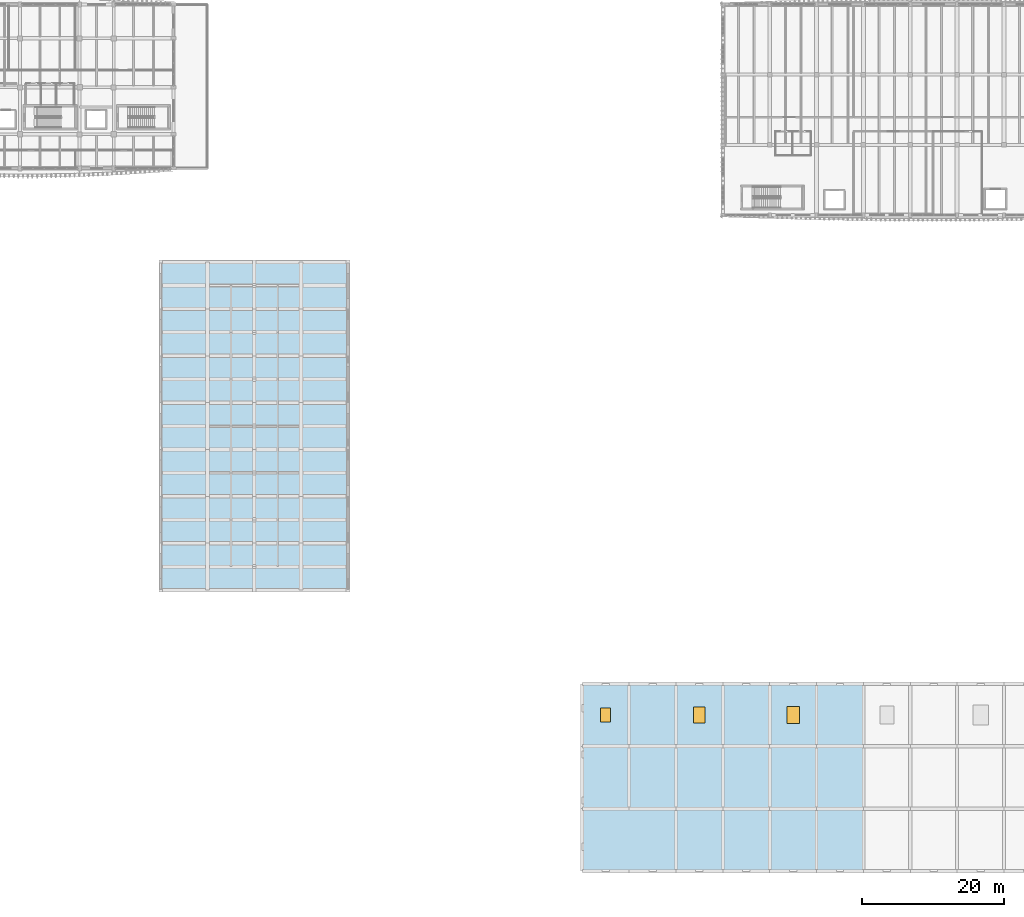
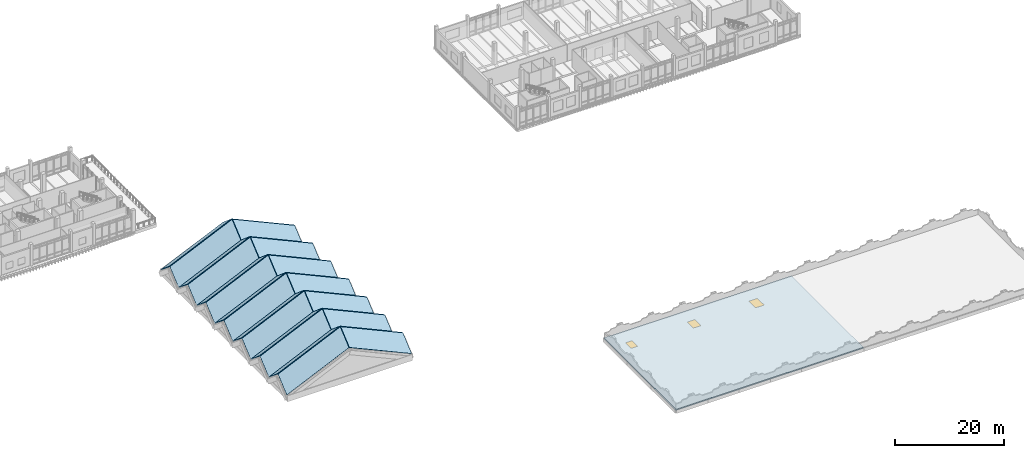
# One storey, part 18 of 50: 29 slabs, 3 windows, 3 openings.
"""IFC4 building model written with IfcOpenShell, lengths in metres."""

from ifc_helpers import new_model, si_unit, direction, frame, origin, origin_2d, place, context, subcontext, project, spatial, polyline, rectangle, outline, extrude, material, layer, layer_set, type_object, element, fill, save


model = new_model("IFC4")

# Units and contexts
model_context = context("Model", 3, precision=1e-05, world=origin(), true_north=direction((0.0, 1.0)))
body_context = subcontext(model_context, "Body", "Model", "MODEL_VIEW")
ifc_project = project(units=[si_unit("LENGTHUNIT", "METRE"), si_unit("AREAUNIT", "SQUARE_METRE"), si_unit("VOLUMEUNIT", "CUBIC_METRE"), si_unit("PLANEANGLEUNIT", "RADIAN"), si_unit("MASSUNIT", "GRAM", prefix="KILO")], contexts=[model_context])

# Site, building, storey
site_placement = place(None, origin())
site = spatial("IfcSite", under=ifc_project, at=site_placement, CompositionType="ELEMENT")
building_placement = place(site_placement, origin())
building = spatial("IfcBuilding", under=site, at=building_placement, Name="Dornvale Research Institute", CompositionType="ELEMENT")
storey_placement = place(building_placement, frame((0.0, 0.0, 19.800048828125)))
storey = spatial("IfcBuildingStorey", under=building, at=storey_placement, Name="L04", CompositionType="ELEMENT", Elevation=19.800048828125)

# Slab, openings, windows
ifc_material_1 = material(Name="Concrete f'c 45 MPa (C35/45)", Category="concrete")
ifc_layer_1 = layer(ifc_material_1, 0.260009765625)
ifc_layer_set_1 = layer_set([ifc_layer_1], Name="Concrete f'c 45 MPa (C35/45)")
slab_type_1 = type_object("IfcSlabType", Name="RoofSlab_Flat_260", PredefinedType="ROOF", material=ifc_layer_set_1)
slab_1_placement = place(storey_placement, frame((0.0, 0.0, -0.260009765625)))
slab_1 = element("IfcSlab", 1, at=slab_1_placement, inside=storey, type_object=slab_type_1, Name="L04 V3 structural roof slab ROOF-V3-L04-W", PredefinedType="ROOF", context=body_context, shape_type="SweptSolid", body=[
    extrude(outline(polyline([(99.0, 0.0), (138.60009765625, 0.0), (138.60009765625, 26.39990234375), (99.0, 26.39990234375), (99.0, 0.0)])), origin(), (0.0, 0.0, 1.0), 0.260009765625),
])
opening_1_placement = place(slab_1_placement, frame((102.300048828125, 22.0, 0.0)))
opening_1 = element("IfcOpeningElement", 2, at=opening_1_placement, cuts=slab_1, Name="Opening SK-01", PredefinedType="OPENING", context=body_context, shape_type="SweptSolid", body=[
    extrude(rectangle(XDim=1.39990234375, YDim=2.0, at=origin_2d()), origin(), (0.0, 0.0, 1.0), 0.260009765625),
])
opening_2_placement = place(slab_1_placement, frame((115.5, 22.0, 0.0)))
opening_2 = element("IfcOpeningElement", 3, at=opening_2_placement, cuts=slab_1, Name="Opening SK-02", PredefinedType="OPENING", context=body_context, shape_type="SweptSolid", body=[
    extrude(rectangle(XDim=1.60009765625, YDim=2.199951171875, at=origin_2d()), origin(), (0.0, 0.0, 1.0), 0.260009765625),
])
opening_3_placement = place(slab_1_placement, frame((128.699951171875, 22.0, 0.0)))
opening_3 = element("IfcOpeningElement", 4, at=opening_3_placement, cuts=slab_1, Name="Opening SK-03", PredefinedType="OPENING", context=body_context, shape_type="SweptSolid", body=[
    extrude(rectangle(XDim=1.800048828125, YDim=2.39990234375, at=origin_2d()), origin(), (0.0, 0.0, 1.0), 0.260009765625),
])
ifc_material_2 = material(Name="Low-E Argon Double Insulating Glazing Unit", Category="glass")
window_type_1 = type_object("IfcWindowType", Name="Skylight_Alu_1400x2000", PartitioningType="SINGLE_PANEL", PredefinedType="SKYLIGHT", material=ifc_material_2)
window_1_placement = place(opening_1_placement, frame((0.0, 0.0, 0.2099609375)))
window_1 = element("IfcWindow", 5, at=window_1_placement, inside=storey, type_object=window_type_1, Name="L04 daylight skylight SK-01 #1", OverallHeight=2.0, OverallWidth=1.39990234375, PartitioningType="SINGLE_PANEL", PredefinedType="SKYLIGHT", context=body_context, shape_type="SweptSolid", body=[
    extrude(rectangle(XDim=1.39990234375, YDim=2.0, at=origin_2d()), origin(), (0.0, 0.0, 1.0), 0.050048828125),
])
fill(opening_1, window_1)
ifc_material_3 = material(Name="Low-E Argon Double Insulating Glazing Unit", Category="glass")
window_type_2 = type_object("IfcWindowType", Name="Skylight_Alu_1600x2200", PartitioningType="SINGLE_PANEL", PredefinedType="SKYLIGHT", material=ifc_material_3)
window_2_placement = place(opening_2_placement, frame((0.0, 0.0, 0.2099609375)))
window_2 = element("IfcWindow", 6, at=window_2_placement, inside=storey, type_object=window_type_2, Name="L04 daylight skylight SK-02 #2", OverallHeight=2.199951171875, OverallWidth=1.60009765625, PartitioningType="SINGLE_PANEL", PredefinedType="SKYLIGHT", context=body_context, shape_type="SweptSolid", body=[
    extrude(rectangle(XDim=1.60009765625, YDim=2.199951171875, at=origin_2d()), origin(), (0.0, 0.0, 1.0), 0.050048828125),
])
fill(opening_2, window_2)
ifc_material_4 = material(Name="Low-E Argon Double Insulating Glazing Unit", Category="glass")
window_type_3 = type_object("IfcWindowType", Name="Skylight_Alu_1800x2400", PartitioningType="SINGLE_PANEL", PredefinedType="SKYLIGHT", material=ifc_material_4)
window_3_placement = place(opening_3_placement, frame((0.0, 0.0, 0.2099609375)))
window_3 = element("IfcWindow", 7, at=window_3_placement, inside=storey, type_object=window_type_3, Name="L04 daylight skylight SK-03 #3", OverallHeight=2.39990234375, OverallWidth=1.800048828125, PartitioningType="SINGLE_PANEL", PredefinedType="SKYLIGHT", context=body_context, shape_type="SweptSolid", body=[
    extrude(rectangle(XDim=1.800048828125, YDim=2.39990234375, at=origin_2d()), origin(), (0.0, 0.0, 1.0), 0.050048828125),
])
fill(opening_3, window_3)

# Slabs
ifc_material_5 = material(Name="Concrete f'c 45 MPa (C35/45)", Category="concrete")
ifc_layer_2 = layer(ifc_material_5, 0.159912109375)
ifc_layer_set_2 = layer_set([ifc_layer_2], Name="Concrete f'c 45 MPa (C35/45)")
slab_type_2 = type_object("IfcSlabType", Name="RoofSlab_FoldedPlate_160", PredefinedType="ROOF", material=ifc_layer_set_2)
slab_2_placement = place(storey_placement, frame((39.60009765625, 39.60009765625, 0.0), z_axis=(-0.32748365407, -0.611304941538, 0.720458690535), x_axis=(0.91036532023, 0.0, 0.413805490202)))
element("IfcSlab", 8, at=slab_2_placement, inside=storey, type_object=slab_type_2, Name="V2 Interaction Atrium pleated folded-plate roof WS facet 1", PredefinedType="ROOF", context=body_context, shape_type="SweptSolid", body=[
    extrude(outline(polyline([(0.0, 0.0), (14.450006897142604, 4.440892098500626e-16), (15.574232359782298, 4.045898354569591), (1.124225462639694, 4.04589835456959), (0.0, 0.0)])), origin(), (0.0, 0.0, -1.0), 0.159912109375),
])
slab_3_placement = place(storey_placement, frame((39.60009765625, 42.998046875, 2.716796875), z_axis=(-0.32748365407, 0.611304941538, 0.720458690535), x_axis=(0.91036532023, 0.0, 0.413805490202)))
element("IfcSlab", 9, at=slab_3_placement, inside=storey, type_object=slab_type_2, Name="V2 Interaction Atrium pleated folded-plate roof WN facet 1", PredefinedType="ROOF", context=body_context, shape_type="SweptSolid", body=[
    extrude(outline(polyline([(0.0, 0.0), (14.450006897142604, -4.440892098500626e-16), (13.325781434502911, 4.04589835456959), (-1.124225462639694, 4.04589835456959), (0.0, 0.0)])), origin(), (0.0, 0.0, -1.0), 0.159912109375),
])
slab_4_placement = place(storey_placement, frame((52.844970703125, 39.60009765625, 5.9794921875), z_axis=(0.327478228177, -0.611306158236, 0.720460124485), x_axis=(0.910368213271, 0.0, -0.413799125502)))
element("IfcSlab", 10, at=slab_4_placement, inside=storey, type_object=slab_type_2, Name="V2 Interaction Atrium pleated folded-plate roof ES facet 1", PredefinedType="ROOF", context=body_context, shape_type="SweptSolid", body=[
    extrude(outline(polyline([(0.0, 0.0), (14.450229154654023, 4.440892098500626e-16), (13.326020983612333, 4.045903159310595), (-1.1242081710416907, 4.045903159310594), (0.0, 0.0)])), origin(), (0.0, 0.0, -1.0), 0.159912109375),
])
slab_5_placement = place(storey_placement, frame((52.844970703125, 42.998046875, 8.6962890625), z_axis=(0.327478228177, 0.611306158236, 0.720460124485), x_axis=(0.910368213271, 0.0, -0.413799125502)))
element("IfcSlab", 11, at=slab_5_placement, inside=storey, type_object=slab_type_2, Name="V2 Interaction Atrium pleated folded-plate roof EN facet 1", PredefinedType="ROOF", context=body_context, shape_type="SweptSolid", body=[
    extrude(outline(polyline([(0.0, 0.0), (14.450229154654023, -4.440892098500626e-16), (15.574437325695714, 4.045903159310594), (1.1242081710416907, 4.045903159310594), (0.0, 0.0)])), origin(), (0.0, 0.0, -1.0), 0.159912109375),
])
slab_6_placement = place(storey_placement, frame((39.60009765625, 46.199951171875, 0.0), z_axis=(-0.327492984594, -0.611275749675, 0.720479217536), x_axis=(0.91036532023, 0.0, 0.413805490202)))
element("IfcSlab", 12, at=slab_6_placement, inside=storey, type_object=slab_type_2, Name="V2 Interaction Atrium pleated folded-plate roof WS facet 2", PredefinedType="ROOF", context=body_context, shape_type="SweptSolid", body=[
    extrude(outline(polyline([(0.0, 0.0), (14.450006897142606, 0.0), (15.574232359782298, 4.0460915690263395), (1.124225462639694, 4.0460915690263395), (0.0, 0.0)])), origin(), (0.0, 0.0, -1.0), 0.159912109375),
])
slab_7_placement = place(storey_placement, frame((39.60009765625, 49.597900390625, 2.716796875), z_axis=(-0.327492984594, 0.611275749675, 0.720479217536), x_axis=(0.91036532023, 0.0, 0.413805490202)))
element("IfcSlab", 13, at=slab_7_placement, inside=storey, type_object=slab_type_2, Name="V2 Interaction Atrium pleated folded-plate roof WN facet 2", PredefinedType="ROOF", context=body_context, shape_type="SweptSolid", body=[
    extrude(outline(polyline([(0.0, 0.0), (14.450006897142606, 0.0), (13.325781434502911, 4.0460915690263395), (-1.124225462639694, 4.0460915690263395), (0.0, 0.0)])), origin(), (0.0, 0.0, -1.0), 0.159912109375),
])
slab_8_placement = place(storey_placement, frame((52.844970703125, 46.199951171875, 5.9794921875), z_axis=(0.327487558584, -0.611276966384, 0.720480651608), x_axis=(0.910368213271, 0.0, -0.413799125502)))
element("IfcSlab", 14, at=slab_8_placement, inside=storey, type_object=slab_type_2, Name="V2 Interaction Atrium pleated folded-plate roof ES facet 2", PredefinedType="ROOF", context=body_context, shape_type="SweptSolid", body=[
    extrude(outline(polyline([(0.0, 0.0), (14.450229154654023, 0.0), (13.326020983612333, 4.046096373537901), (-1.1242081710416907, 4.046096373537901), (0.0, 0.0)])), origin(), (0.0, 0.0, -1.0), 0.159912109375),
])
slab_9_placement = place(storey_placement, frame((52.844970703125, 49.597900390625, 8.6962890625), z_axis=(0.327487558584, 0.611276966384, 0.720480651608), x_axis=(0.910368213271, 0.0, -0.413799125502)))
element("IfcSlab", 15, at=slab_9_placement, inside=storey, type_object=slab_type_2, Name="V2 Interaction Atrium pleated folded-plate roof EN facet 2", PredefinedType="ROOF", context=body_context, shape_type="SweptSolid", body=[
    extrude(outline(polyline([(0.0, 0.0), (14.450229154654023, 0.0), (15.574437325695714, 4.046096373537901), (1.1242081710416907, 4.046096373537901), (0.0, 0.0)])), origin(), (0.0, 0.0, -1.0), 0.159912109375),
])
slab_10_placement = place(storey_placement, frame((39.60009765625, 52.800048828125, 0.0), z_axis=(-0.32748365407, -0.611304941538, 0.720458690535), x_axis=(0.91036532023, 0.0, 0.413805490202)))
element("IfcSlab", 16, at=slab_10_placement, inside=storey, type_object=slab_type_2, Name="V2 Interaction Atrium pleated folded-plate roof WS facet 3", PredefinedType="ROOF", context=body_context, shape_type="SweptSolid", body=[
    extrude(outline(polyline([(0.0, 0.0), (14.450006897142604, 4.440892098500626e-16), (15.574232359782298, 4.045898354569591), (1.124225462639694, 4.04589835456959), (0.0, 0.0)])), origin(), (0.0, 0.0, -1.0), 0.159912109375),
])
slab_11_placement = place(storey_placement, frame((39.60009765625, 56.197998046875, 2.716796875), z_axis=(-0.32748365407, 0.611304941538, 0.720458690535), x_axis=(0.91036532023, 0.0, 0.413805490202)))
element("IfcSlab", 17, at=slab_11_placement, inside=storey, type_object=slab_type_2, Name="V2 Interaction Atrium pleated folded-plate roof WN facet 3", PredefinedType="ROOF", context=body_context, shape_type="SweptSolid", body=[
    extrude(outline(polyline([(0.0, 0.0), (14.450006897142604, -4.440892098500626e-16), (13.325781434502911, 4.04589835456959), (-1.124225462639694, 4.04589835456959), (0.0, 0.0)])), origin(), (0.0, 0.0, -1.0), 0.159912109375),
])
slab_12_placement = place(storey_placement, frame((52.844970703125, 52.800048828125, 5.9794921875), z_axis=(0.327478228177, -0.611306158236, 0.720460124485), x_axis=(0.910368213271, 0.0, -0.413799125502)))
element("IfcSlab", 18, at=slab_12_placement, inside=storey, type_object=slab_type_2, Name="V2 Interaction Atrium pleated folded-plate roof ES facet 3", PredefinedType="ROOF", context=body_context, shape_type="SweptSolid", body=[
    extrude(outline(polyline([(0.0, 0.0), (14.450229154654023, 4.440892098500626e-16), (13.326020983612333, 4.045903159310595), (-1.1242081710416907, 4.045903159310594), (0.0, 0.0)])), origin(), (0.0, 0.0, -1.0), 0.159912109375),
])
slab_13_placement = place(storey_placement, frame((52.844970703125, 56.197998046875, 8.6962890625), z_axis=(0.327478228177, 0.611306158236, 0.720460124485), x_axis=(0.910368213271, 0.0, -0.413799125502)))
element("IfcSlab", 19, at=slab_13_placement, inside=storey, type_object=slab_type_2, Name="V2 Interaction Atrium pleated folded-plate roof EN facet 3", PredefinedType="ROOF", context=body_context, shape_type="SweptSolid", body=[
    extrude(outline(polyline([(0.0, 0.0), (14.450229154654023, -4.440892098500626e-16), (15.574437325695714, 4.045903159310594), (1.1242081710416907, 4.045903159310594), (0.0, 0.0)])), origin(), (0.0, 0.0, -1.0), 0.159912109375),
])
slab_14_placement = place(storey_placement, frame((39.60009765625, 59.39990234375, 0.0), z_axis=(-0.327492984594, -0.611275749675, 0.720479217536), x_axis=(0.91036532023, 0.0, 0.413805490202)))
element("IfcSlab", 20, at=slab_14_placement, inside=storey, type_object=slab_type_2, Name="V2 Interaction Atrium pleated folded-plate roof WS facet 4", PredefinedType="ROOF", context=body_context, shape_type="SweptSolid", body=[
    extrude(outline(polyline([(0.0, 0.0), (14.450006897142606, 0.0), (15.574232359782298, 4.0460915690263395), (1.124225462639694, 4.0460915690263395), (0.0, 0.0)])), origin(), (0.0, 0.0, -1.0), 0.159912109375),
])
slab_15_placement = place(storey_placement, frame((39.60009765625, 62.798095703125, 2.716796875), z_axis=(-0.32748365407, 0.611304941538, 0.720458690535), x_axis=(0.91036532023, 0.0, 0.413805490202)))
element("IfcSlab", 21, at=slab_15_placement, inside=storey, type_object=slab_type_2, Name="V2 Interaction Atrium pleated folded-plate roof WN facet 4", PredefinedType="ROOF", context=body_context, shape_type="SweptSolid", body=[
    extrude(outline(polyline([(0.0, 0.0), (14.450006897142604, -4.440892098500626e-16), (13.325781434502911, 4.04589835456959), (-1.124225462639694, 4.04589835456959), (0.0, 0.0)])), origin(), (0.0, 0.0, -1.0), 0.159912109375),
])
slab_16_placement = place(storey_placement, frame((52.844970703125, 59.39990234375, 5.9794921875), z_axis=(0.327487558584, -0.611276966384, 0.720480651608), x_axis=(0.910368213271, 0.0, -0.413799125502)))
element("IfcSlab", 22, at=slab_16_placement, inside=storey, type_object=slab_type_2, Name="V2 Interaction Atrium pleated folded-plate roof ES facet 4", PredefinedType="ROOF", context=body_context, shape_type="SweptSolid", body=[
    extrude(outline(polyline([(0.0, 0.0), (14.450229154654023, 0.0), (13.326020983612333, 4.046096373537901), (-1.1242081710416907, 4.046096373537901), (0.0, 0.0)])), origin(), (0.0, 0.0, -1.0), 0.159912109375),
])
slab_17_placement = place(storey_placement, frame((52.844970703125, 62.798095703125, 8.6962890625), z_axis=(0.327478228177, 0.611306158236, 0.720460124485), x_axis=(0.910368213271, 0.0, -0.413799125502)))
element("IfcSlab", 23, at=slab_17_placement, inside=storey, type_object=slab_type_2, Name="V2 Interaction Atrium pleated folded-plate roof EN facet 4", PredefinedType="ROOF", context=body_context, shape_type="SweptSolid", body=[
    extrude(outline(polyline([(0.0, 0.0), (14.450229154654023, -4.440892098500626e-16), (15.574437325695714, 4.045903159310594), (1.1242081710416907, 4.045903159310594), (0.0, 0.0)])), origin(), (0.0, 0.0, -1.0), 0.159912109375),
])
slab_18_placement = place(storey_placement, frame((39.60009765625, 66.0, 0.0), z_axis=(-0.32748365407, -0.611304941538, 0.720458690535), x_axis=(0.91036532023, 0.0, 0.413805490202)))
element("IfcSlab", 24, at=slab_18_placement, inside=storey, type_object=slab_type_2, Name="V2 Interaction Atrium pleated folded-plate roof WS facet 5", PredefinedType="ROOF", context=body_context, shape_type="SweptSolid", body=[
    extrude(outline(polyline([(0.0, 0.0), (14.450006897142604, 4.440892098500626e-16), (15.574232359782298, 4.045898354569591), (1.124225462639694, 4.04589835456959), (0.0, 0.0)])), origin(), (0.0, 0.0, -1.0), 0.159912109375),
])
slab_19_placement = place(storey_placement, frame((39.60009765625, 69.39794921875, 2.716796875), z_axis=(-0.327492984594, 0.611275749675, 0.720479217536), x_axis=(0.91036532023, 0.0, 0.413805490202)))
element("IfcSlab", 25, at=slab_19_placement, inside=storey, type_object=slab_type_2, Name="V2 Interaction Atrium pleated folded-plate roof WN facet 5", PredefinedType="ROOF", context=body_context, shape_type="SweptSolid", body=[
    extrude(outline(polyline([(0.0, 0.0), (14.450006897142606, 0.0), (13.325781434502911, 4.0460915690263395), (-1.124225462639694, 4.0460915690263395), (0.0, 0.0)])), origin(), (0.0, 0.0, -1.0), 0.159912109375),
])
slab_20_placement = place(storey_placement, frame((52.844970703125, 66.0, 5.9794921875), z_axis=(0.327478228177, -0.611306158236, 0.720460124485), x_axis=(0.910368213271, 0.0, -0.413799125502)))
element("IfcSlab", 26, at=slab_20_placement, inside=storey, type_object=slab_type_2, Name="V2 Interaction Atrium pleated folded-plate roof ES facet 5", PredefinedType="ROOF", context=body_context, shape_type="SweptSolid", body=[
    extrude(outline(polyline([(0.0, 0.0), (14.450229154654023, 4.440892098500626e-16), (13.326020983612333, 4.045903159310595), (-1.1242081710416907, 4.045903159310594), (0.0, 0.0)])), origin(), (0.0, 0.0, -1.0), 0.159912109375),
])
slab_21_placement = place(storey_placement, frame((52.844970703125, 69.39794921875, 8.6962890625), z_axis=(0.327487558584, 0.611276966384, 0.720480651608), x_axis=(0.910368213271, 0.0, -0.413799125502)))
element("IfcSlab", 27, at=slab_21_placement, inside=storey, type_object=slab_type_2, Name="V2 Interaction Atrium pleated folded-plate roof EN facet 5", PredefinedType="ROOF", context=body_context, shape_type="SweptSolid", body=[
    extrude(outline(polyline([(0.0, 0.0), (14.450229154654023, 0.0), (15.574437325695714, 4.046096373537901), (1.1242081710416907, 4.046096373537901), (0.0, 0.0)])), origin(), (0.0, 0.0, -1.0), 0.159912109375),
])
slab_22_placement = place(storey_placement, frame((39.60009765625, 72.60009765625, 0.0), z_axis=(-0.32748365407, -0.611304941538, 0.720458690535), x_axis=(0.91036532023, 0.0, 0.413805490202)))
element("IfcSlab", 28, at=slab_22_placement, inside=storey, type_object=slab_type_2, Name="V2 Interaction Atrium pleated folded-plate roof WS facet 6", PredefinedType="ROOF", context=body_context, shape_type="SweptSolid", body=[
    extrude(outline(polyline([(0.0, 0.0), (14.450006897142604, 4.440892098500626e-16), (15.574232359782298, 4.045898354569591), (1.124225462639694, 4.04589835456959), (0.0, 0.0)])), origin(), (0.0, 0.0, -1.0), 0.159912109375),
])
slab_23_placement = place(storey_placement, frame((39.60009765625, 75.998046875, 2.716796875), z_axis=(-0.32748365407, 0.611304941538, 0.720458690535), x_axis=(0.91036532023, 0.0, 0.413805490202)))
element("IfcSlab", 29, at=slab_23_placement, inside=storey, type_object=slab_type_2, Name="V2 Interaction Atrium pleated folded-plate roof WN facet 6", PredefinedType="ROOF", context=body_context, shape_type="SweptSolid", body=[
    extrude(outline(polyline([(0.0, 0.0), (14.450006897142604, -4.440892098500626e-16), (13.325781434502911, 4.04589835456959), (-1.124225462639694, 4.04589835456959), (0.0, 0.0)])), origin(), (0.0, 0.0, -1.0), 0.159912109375),
])
slab_24_placement = place(storey_placement, frame((52.844970703125, 72.60009765625, 5.9794921875), z_axis=(0.327478228177, -0.611306158236, 0.720460124485), x_axis=(0.910368213271, 0.0, -0.413799125502)))
element("IfcSlab", 30, at=slab_24_placement, inside=storey, type_object=slab_type_2, Name="V2 Interaction Atrium pleated folded-plate roof ES facet 6", PredefinedType="ROOF", context=body_context, shape_type="SweptSolid", body=[
    extrude(outline(polyline([(0.0, 0.0), (14.450229154654023, 4.440892098500626e-16), (13.326020983612333, 4.045903159310595), (-1.1242081710416907, 4.045903159310594), (0.0, 0.0)])), origin(), (0.0, 0.0, -1.0), 0.159912109375),
])
slab_25_placement = place(storey_placement, frame((52.844970703125, 75.998046875, 8.6962890625), z_axis=(0.327478228177, 0.611306158236, 0.720460124485), x_axis=(0.910368213271, 0.0, -0.413799125502)))
element("IfcSlab", 31, at=slab_25_placement, inside=storey, type_object=slab_type_2, Name="V2 Interaction Atrium pleated folded-plate roof EN facet 6", PredefinedType="ROOF", context=body_context, shape_type="SweptSolid", body=[
    extrude(outline(polyline([(0.0, 0.0), (14.450229154654023, -4.440892098500626e-16), (15.574437325695714, 4.045903159310594), (1.1242081710416907, 4.045903159310594), (0.0, 0.0)])), origin(), (0.0, 0.0, -1.0), 0.159912109375),
])
slab_26_placement = place(storey_placement, frame((39.60009765625, 79.199951171875, 0.0), z_axis=(-0.327492984594, -0.611275749675, 0.720479217536), x_axis=(0.91036532023, 0.0, 0.413805490202)))
element("IfcSlab", 32, at=slab_26_placement, inside=storey, type_object=slab_type_2, Name="V2 Interaction Atrium pleated folded-plate roof WS facet 7", PredefinedType="ROOF", context=body_context, shape_type="SweptSolid", body=[
    extrude(outline(polyline([(0.0, 0.0), (14.450006897142606, 0.0), (15.574232359782298, 4.0460915690263395), (1.124225462639694, 4.0460915690263395), (0.0, 0.0)])), origin(), (0.0, 0.0, -1.0), 0.159912109375),
])
slab_27_placement = place(storey_placement, frame((39.60009765625, 82.597900390625, 2.716796875), z_axis=(-0.327492984594, 0.611275749675, 0.720479217536), x_axis=(0.91036532023, 0.0, 0.413805490202)))
element("IfcSlab", 33, at=slab_27_placement, inside=storey, type_object=slab_type_2, Name="V2 Interaction Atrium pleated folded-plate roof WN facet 7", PredefinedType="ROOF", context=body_context, shape_type="SweptSolid", body=[
    extrude(outline(polyline([(0.0, 0.0), (14.450006897142606, 0.0), (13.325781434502911, 4.0460915690263395), (-1.124225462639694, 4.0460915690263395), (0.0, 0.0)])), origin(), (0.0, 0.0, -1.0), 0.159912109375),
])
slab_28_placement = place(storey_placement, frame((52.844970703125, 79.199951171875, 5.9794921875), z_axis=(0.327487558584, -0.611276966384, 0.720480651608), x_axis=(0.910368213271, 0.0, -0.413799125502)))
element("IfcSlab", 34, at=slab_28_placement, inside=storey, type_object=slab_type_2, Name="V2 Interaction Atrium pleated folded-plate roof ES facet 7", PredefinedType="ROOF", context=body_context, shape_type="SweptSolid", body=[
    extrude(outline(polyline([(0.0, 0.0), (14.450229154654023, 0.0), (13.326020983612333, 4.046096373537901), (-1.1242081710416907, 4.046096373537901), (0.0, 0.0)])), origin(), (0.0, 0.0, -1.0), 0.159912109375),
])
slab_29_placement = place(storey_placement, frame((52.844970703125, 82.597900390625, 8.6962890625), z_axis=(0.327487558584, 0.611276966384, 0.720480651608), x_axis=(0.910368213271, 0.0, -0.413799125502)))
element("IfcSlab", 35, at=slab_29_placement, inside=storey, type_object=slab_type_2, Name="V2 Interaction Atrium pleated folded-plate roof EN facet 7", PredefinedType="ROOF", context=body_context, shape_type="SweptSolid", body=[
    extrude(outline(polyline([(0.0, 0.0), (14.450229154654023, 0.0), (15.574437325695714, 4.046096373537901), (1.1242081710416907, 4.046096373537901), (0.0, 0.0)])), origin(), (0.0, 0.0, -1.0), 0.159912109375),
])

save(model, "model.ifc")
